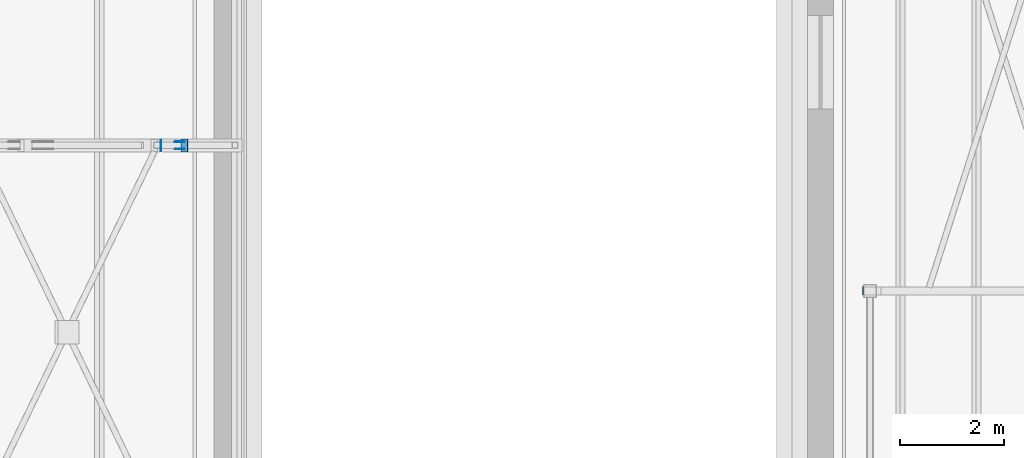
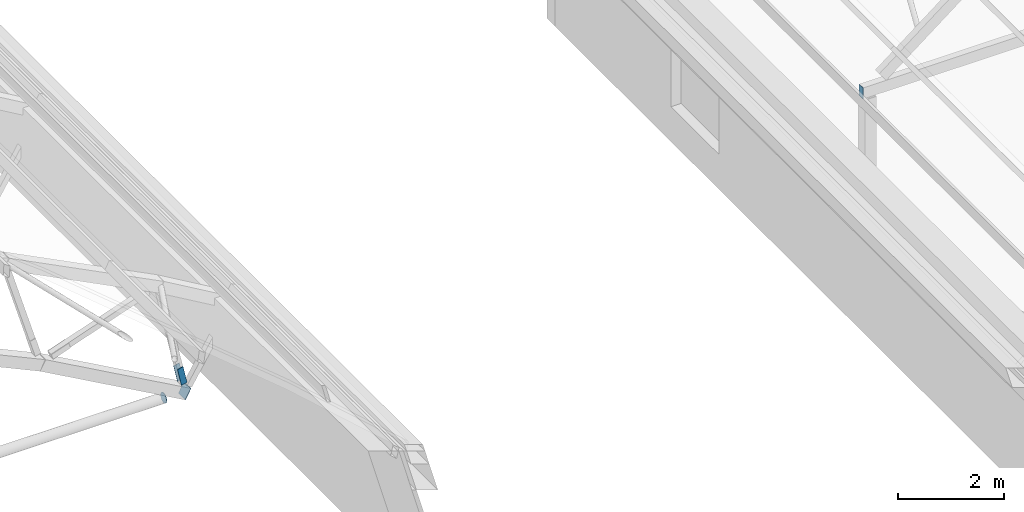
# One storey, part 98 of 127: 5 discrete accessories.
"""IFC4 building model written with IfcOpenShell, lengths in metres."""

from ifc_helpers import new_model, si_unit, direction, frame, origin, origin_2d, place, context, subcontext, project, spatial, rectangle, circle, extrude, material, material_profile, profile_set, type_object, element, save


model = new_model("IFC4")

# Units and contexts
model_context = context("Model", 3, precision=1e-05, world=origin(), true_north=direction((0.0, 1.0)))
body_context = subcontext(model_context, "Body", "Model", "MODEL_VIEW")
ifc_project = project(units=[si_unit("LENGTHUNIT", "METRE"), si_unit("AREAUNIT", "SQUARE_METRE"), si_unit("VOLUMEUNIT", "CUBIC_METRE"), si_unit("PLANEANGLEUNIT", "RADIAN"), si_unit("MASSUNIT", "GRAM", prefix="KILO")], contexts=[model_context])

# Site, building, storey
site_placement = place(None, origin())
site = spatial("IfcSite", under=ifc_project, at=site_placement, CompositionType="ELEMENT")
building_placement = place(site_placement, origin())
building = spatial("IfcBuilding", under=site, at=building_placement, Name="Verrick Yard Athletic Hall", CompositionType="ELEMENT")
storey_placement = place(building_placement, frame((0.0, 0.0, 14.0)))
storey = spatial("IfcBuildingStorey", under=building, at=storey_placement, Name="L03", CompositionType="ELEMENT", Elevation=14.0)

# Discrete accessories
ifc_material = material(Name="Structural steel 350W (CSA G40.21)", Category="steel")
ifc_material_profile_1 = material_profile(ifc_material, rectangle(XDim=0.39990234375, YDim=0.126953125, at=origin_2d()), Name="Brace end cheek plate")
ifc_profile_set_1 = profile_set([ifc_material_profile_1], Name="Structural steel 350W (CSA G40.21)")
discrete_accessory_type_1 = type_object("IfcDiscreteAccessoryType", Name="Brace end cheek plate 400x127x12", PredefinedType="BRACKET", material=ifc_profile_set_1)
discrete_accessory_1_placement = place(storey_placement, frame((75.908935546875, 93.53662109375, 0.416015625), z_axis=(0.0, -1.0, 0.0), x_axis=(-0.213605450371, 0.0, 0.976920012883)))
element("IfcDiscreteAccessory", 1, at=discrete_accessory_1_placement, inside=storey, type_object=discrete_accessory_type_1, Name="Truss web end plate TB4-28 1", PredefinedType="BRACKET", context=body_context, shape_type="SweptSolid", body=[
    extrude(rectangle(XDim=0.39990234375, YDim=0.126953125, at=origin_2d()), origin(), (0.0, 0.0, 1.0), 0.01220703125),
])
discrete_accessory_2_placement = place(storey_placement, frame((75.908935546875, 93.66357421875, 0.416015625), z_axis=(0.0, 1.0, 0.0), x_axis=(-0.213605450371, 0.0, 0.976920012883)))
element("IfcDiscreteAccessory", 2, at=discrete_accessory_2_placement, inside=storey, type_object=discrete_accessory_type_1, Name="Truss web end plate TB4-28 2", PredefinedType="BRACKET", context=body_context, shape_type="SweptSolid", body=[
    extrude(rectangle(XDim=0.39990234375, YDim=0.126953125, at=origin_2d()), origin(), (0.0, 0.0, 1.0), 0.011962890625),
])
ifc_material_profile_2 = material_profile(ifc_material, rectangle(XDim=0.25390625, YDim=0.25390625, at=origin_2d()), Name="STR End cap plate 254x254x9.5")
ifc_profile_set_2 = profile_set([ifc_material_profile_2], Name="Structural steel 350W (CSA G40.21)")
discrete_accessory_type_2 = type_object("IfcDiscreteAccessoryType", Name="STR End cap plate 254x254x9.5", PredefinedType="BRACKET", material=ifc_profile_set_2)
discrete_accessory_3_placement = place(storey_placement, frame((76.0, 93.60009765625, 0.0), z_axis=(0.874157276122, 0.0, -0.485642931179), x_axis=(0.0, 1.0, 0.0)))
element("IfcDiscreteAccessory", 3, at=discrete_accessory_3_placement, inside=storey, type_object=discrete_accessory_type_2, Name="End cap Truss TB4 bottom chord 14 B", PredefinedType="BRACKET", context=body_context, shape_type="SweptSolid", body=[
    extrude(rectangle(XDim=0.25390625, YDim=0.25390625, at=origin_2d()), origin(), (0.0, 0.0, 1.0), 0.010009765625),
])
ifc_material_profile_3 = material_profile(ifc_material, rectangle(XDim=0.15234375, YDim=0.25390625, at=origin_2d()), Name="STR End cap plate 254x152x9.5")
ifc_profile_set_3 = profile_set([ifc_material_profile_3], Name="Structural steel 350W (CSA G40.21)")
discrete_accessory_type_3 = type_object("IfcDiscreteAccessoryType", Name="STR End cap plate 254x152x9.5", PredefinedType="BRACKET", material=ifc_profile_set_3)
discrete_accessory_4_placement = place(storey_placement, frame((89.06298828125, 90.800048828125, 3.9892578125), z_axis=(1.0, 0.0, 0.0), x_axis=(0.0, 1.0, 0.0)))
element("IfcDiscreteAccessory", 4, at=discrete_accessory_4_placement, inside=storey, type_object=discrete_accessory_type_3, Name="End cap HB-RT-3W A", PredefinedType="BRACKET", context=body_context, shape_type="SweptSolid", body=[
    extrude(rectangle(XDim=0.15234375, YDim=0.25390625, at=origin_2d()), origin(), (0.0, 0.0, 1.0), 0.010009765625),
])
ifc_material_profile_4 = material_profile(ifc_material, circle(Radius=0.109619140625, at=origin_2d()), Name="STR End cap plate 219x13")
ifc_profile_set_4 = profile_set([ifc_material_profile_4], Name="Structural steel 350W (CSA G40.21)")
discrete_accessory_type_4 = type_object("IfcDiscreteAccessoryType", Name="STR End cap plate 219x13", PredefinedType="BRACKET", material=ifc_profile_set_4)
discrete_accessory_5_placement = place(storey_placement, frame((75.543701171875, 93.60009765625, 0.0), z_axis=(1.0, 0.0, 0.0), x_axis=(0.0, 1.0, 0.0)))
element("IfcDiscreteAccessory", 5, at=discrete_accessory_5_placement, inside=storey, type_object=discrete_accessory_type_4, Name="End cap Truss TB4 tie 1 B", PredefinedType="BRACKET", context=body_context, shape_type="SweptSolid", body=[
    extrude(circle(Radius=0.109619140625, at=origin_2d()), origin(), (0.0, 0.0, 1.0), 0.010009765625),
])

save(model, "model.ifc")
